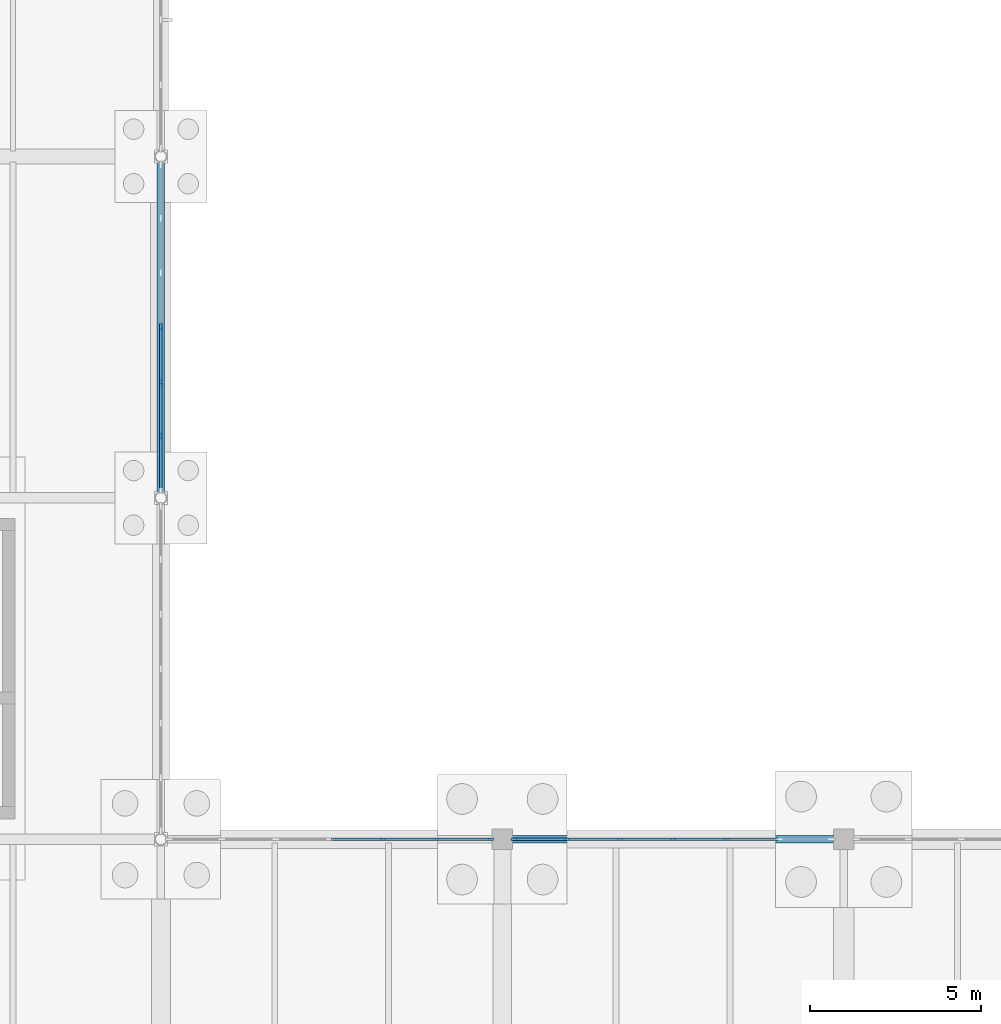
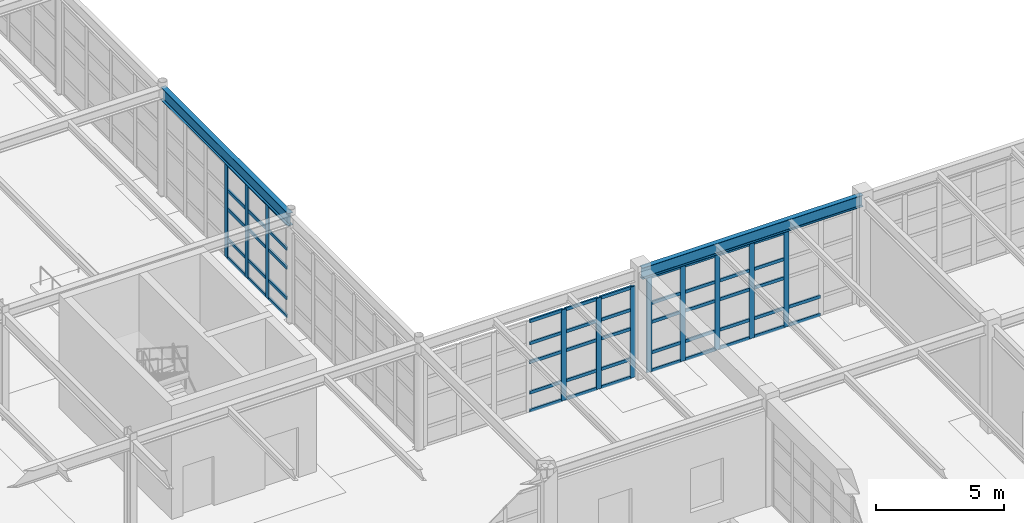
# One storey, part 75 of 145: 63 members, 2 beams, 3 elements without a shape of their own.
"""IFC4 building model written with IfcOpenShell, lengths in metres."""

from ifc_helpers import new_model, si_unit, direction, frame, origin, origin_2d, place, context, subcontext, project, spatial, rectangle, i_section, extrude, material, layer, layer_set, material_profile, profile_set, type_object, element, aggregate, save


model = new_model("IFC4")

# Units and contexts
model_context = context("Model", 3, precision=1e-05, world=origin(), true_north=direction((0.0, 1.0)))
body_context = subcontext(model_context, "Body", "Model", "MODEL_VIEW")
ifc_project = project(units=[si_unit("LENGTHUNIT", "METRE"), si_unit("AREAUNIT", "SQUARE_METRE"), si_unit("VOLUMEUNIT", "CUBIC_METRE"), si_unit("PLANEANGLEUNIT", "RADIAN"), si_unit("MASSUNIT", "GRAM", prefix="KILO"), si_unit("THERMODYNAMICTEMPERATUREUNIT", "KELVIN"), si_unit("POWERUNIT", "WATT")], contexts=[model_context])

# Site, building, storey
site_placement = place(None, origin())
site = spatial("IfcSite", under=ifc_project, at=site_placement, CompositionType="ELEMENT")
building_placement = place(site_placement, origin())
building = spatial("IfcBuilding", under=site, at=building_placement, Name="Korenveer Ferry Terminal", CompositionType="ELEMENT")
storey_placement = place(building_placement, origin())
storey = spatial("IfcBuildingStorey", under=building, at=storey_placement, Name="L00", CompositionType="ELEMENT", Elevation=0.0)

# Curtain wall, members
ifc_material_1 = material(Name="Unitised bronze-and-glass curtain wall", Category="glass")
ifc_layer_1 = layer(ifc_material_1, 0.219970703125)
ifc_layer_set_1 = layer_set([ifc_layer_1], Name="Unitised bronze-and-glass curtain wall")
curtain_wall_type_1 = type_object("IfcCurtainWallType", Name="ENV-CW-12", PredefinedType="USERDEFINED", material=ifc_layer_set_1)
curtain_wall_1_placement = place(storey_placement, frame((136.207763671875, 80.0, 0.0)))
curtain_wall_1 = element("IfcCurtainWall", 1, at=curtain_wall_1_placement, inside=storey, type_object=curtain_wall_type_1, Name="Lancet curtain wall CWX-L00-X136-146-Y80-80", ObjectType="UNITISED CURTAIN WALL", PredefinedType="USERDEFINED")
ifc_material_2 = material(Name="Anodised bronze aluminium", Category="aluminium")
ifc_material_profile_1 = material_profile(ifc_material_2, rectangle(XDim=0.074951171875, YDim=0.219970703125, at=origin_2d()), Name="ALU 75x220")
ifc_profile_set_1 = profile_set([ifc_material_profile_1], Name="Anodised bronze aluminium")
member_type_1 = type_object("IfcMemberType", Name="ENV-CWM-75X220", PredefinedType="MULLION", material=ifc_profile_set_1)
member_1_placement = place(storey_placement, frame((142.515869140625, 80.0, 0.0), z_axis=(0.0, 0.0, 1.0), x_axis=(0.0, 1.0, 0.0)))
member_1 = element("IfcMember", 2, at=member_1_placement, type_object=member_type_1, Name="CW-12 mullion 5", PredefinedType="MULLION", context=body_context, shape_type="SweptSolid", body=[
    extrude(rectangle(XDim=0.074951171875, YDim=0.219970703125, at=origin_2d()), origin(), (0.0, 0.0, 1.0), 4.340087890625),
])
member_2_placement = place(storey_placement, frame((144.093017578125, 80.0, 0.0), z_axis=(0.0, 0.0, 1.0), x_axis=(0.0, 1.0, 0.0)))
member_2 = element("IfcMember", 3, at=member_2_placement, type_object=member_type_1, Name="CW-12 mullion 6", PredefinedType="MULLION", context=body_context, shape_type="SweptSolid", body=[
    extrude(rectangle(XDim=0.074951171875, YDim=0.219970703125, at=origin_2d()), origin(), (0.0, 0.0, 1.0), 4.340087890625),
])
member_3_placement = place(storey_placement, frame((145.632568359375, 80.0, 0.0), z_axis=(0.0, 0.0, 1.0), x_axis=(0.0, 1.0, 0.0)))
member_3 = element("IfcMember", 4, at=member_3_placement, type_object=member_type_1, Name="CW-12 mullion 7", PredefinedType="MULLION", context=body_context, shape_type="SweptSolid", body=[
    extrude(rectangle(XDim=0.074951171875, YDim=0.219970703125, at=origin_2d()), origin(), (0.0, 0.0, 1.0), 4.340087890625),
])

ifc_layer_2 = layer(ifc_material_1, 0.219970703125)
ifc_layer_set_2 = layer_set([ifc_layer_2], Name="Unitised bronze-and-glass curtain wall")
curtain_wall_type_2 = type_object("IfcCurtainWallType", Name="ENV-CW-10", PredefinedType="USERDEFINED", material=ifc_layer_set_2)
curtain_wall_2_placement = place(storey_placement, frame((146.330078125, 80.0, 0.0)))
curtain_wall_2 = element("IfcCurtainWall", 5, at=curtain_wall_2_placement, inside=storey, type_object=curtain_wall_type_2, Name="Lancet curtain wall CWX-L00-X146-156-Y80-80", ObjectType="UNITISED CURTAIN WALL", PredefinedType="USERDEFINED")
member_4_placement = place(storey_placement, frame((146.367431640625, 80.0, 0.0), z_axis=(0.0, 0.0, 1.0), x_axis=(0.0, 1.0, 0.0)))
member_4 = element("IfcMember", 6, at=member_4_placement, type_object=member_type_1, Name="CW-10 mullion 1", PredefinedType="MULLION", context=body_context, shape_type="SweptSolid", body=[
    extrude(rectangle(XDim=0.074951171875, YDim=0.219970703125, at=origin_2d()), origin(), (0.0, 0.0, 1.0), 4.5400390625),
])
member_5_placement = place(storey_placement, frame((147.88671875, 80.0, 0.0), z_axis=(0.0, 0.0, 1.0), x_axis=(0.0, 1.0, 0.0)))
member_5 = element("IfcMember", 7, at=member_5_placement, type_object=member_type_1, Name="CW-10 mullion 2", PredefinedType="MULLION", context=body_context, shape_type="SweptSolid", body=[
    extrude(rectangle(XDim=0.074951171875, YDim=0.219970703125, at=origin_2d()), origin(), (0.0, 0.0, 1.0), 4.5400390625),
])
member_6_placement = place(storey_placement, frame((149.443359375, 80.0, 0.0), z_axis=(0.0, 0.0, 1.0), x_axis=(0.0, 1.0, 0.0)))
member_6 = element("IfcMember", 8, at=member_6_placement, type_object=member_type_1, Name="CW-10 mullion 3", PredefinedType="MULLION", context=body_context, shape_type="SweptSolid", body=[
    extrude(rectangle(XDim=0.074951171875, YDim=0.219970703125, at=origin_2d()), origin(), (0.0, 0.0, 1.0), 4.5400390625),
])
member_7_placement = place(storey_placement, frame((151.0, 80.0, 0.0), z_axis=(0.0, 0.0, 1.0), x_axis=(0.0, 1.0, 0.0)))
member_7 = element("IfcMember", 9, at=member_7_placement, type_object=member_type_1, Name="CW-10 mullion 4", PredefinedType="MULLION", context=body_context, shape_type="SweptSolid", body=[
    extrude(rectangle(XDim=0.074951171875, YDim=0.219970703125, at=origin_2d()), origin(), (0.0, 0.0, 1.0), 4.5400390625),
])
member_8_placement = place(storey_placement, frame((152.556640625, 80.0, 0.0), z_axis=(0.0, 0.0, 1.0), x_axis=(0.0, 1.0, 0.0)))
member_8 = element("IfcMember", 10, at=member_8_placement, type_object=member_type_1, Name="CW-10 mullion 5", PredefinedType="MULLION", context=body_context, shape_type="SweptSolid", body=[
    extrude(rectangle(XDim=0.074951171875, YDim=0.219970703125, at=origin_2d()), origin(), (0.0, 0.0, 1.0), 4.5400390625),
])

ifc_layer_3 = layer(ifc_material_1, 0.219970703125)
ifc_layer_set_3 = layer_set([ifc_layer_3], Name="Unitised bronze-and-glass curtain wall")
curtain_wall_type_3 = type_object("IfcCurtainWallType", Name="ENV-CW-30", PredefinedType="USERDEFINED", material=ifc_layer_set_3)
curtain_wall_3_placement = place(storey_placement, frame((136.0, 99.792236328125, 0.0)))
curtain_wall_3 = element("IfcCurtainWall", 11, at=curtain_wall_3_placement, inside=storey, type_object=curtain_wall_type_3, Name="Lancet curtain wall CWX-L00-X136-136-Y90-100", ObjectType="UNITISED CURTAIN WALL", PredefinedType="USERDEFINED")
member_9_placement = place(storey_placement, frame((136.0, 95.0, 0.0), z_axis=(0.0, 0.0, 1.0), x_axis=(1.0, 0.0, 0.0)))
member_9 = element("IfcMember", 12, at=member_9_placement, type_object=member_type_1, Name="CW-30 mullion 4", PredefinedType="MULLION", context=body_context, shape_type="SweptSolid", body=[
    extrude(rectangle(XDim=0.074951171875, YDim=0.219970703125, at=origin_2d()), origin(), (0.0, 0.0, 1.0), 4.489990234375),
])
member_10_placement = place(storey_placement, frame((136.0, 93.402587890625, 0.0), z_axis=(0.0, 0.0, 1.0), x_axis=(1.0, 0.0, 0.0)))
member_10 = element("IfcMember", 13, at=member_10_placement, type_object=member_type_1, Name="CW-30 mullion 5", PredefinedType="MULLION", context=body_context, shape_type="SweptSolid", body=[
    extrude(rectangle(XDim=0.074951171875, YDim=0.219970703125, at=origin_2d()), origin(), (0.0, 0.0, 1.0), 4.489990234375),
])
member_11_placement = place(storey_placement, frame((136.0, 91.80517578125, 0.0), z_axis=(0.0, 0.0, 1.0), x_axis=(1.0, 0.0, 0.0)))
member_11 = element("IfcMember", 14, at=member_11_placement, type_object=member_type_1, Name="CW-30 mullion 6", PredefinedType="MULLION", context=body_context, shape_type="SweptSolid", body=[
    extrude(rectangle(XDim=0.074951171875, YDim=0.219970703125, at=origin_2d()), origin(), (0.0, 0.0, 1.0), 4.489990234375),
])

# Member
ifc_material_profile_2 = material_profile(ifc_material_2, rectangle(XDim=0.074951171875, YDim=0.14990234375, at=origin_2d()), Name="ALU 75x150")
ifc_profile_set_2 = profile_set([ifc_material_profile_2], Name="Anodised bronze aluminium")
member_type_2 = type_object("IfcMemberType", Name="ENV-CWT-75X150", PredefinedType="USERDEFINED", material=ifc_profile_set_2)
member_12_placement = place(storey_placement, frame((140.976318359375, 80.0, 0.03759765625), z_axis=(1.0, 0.0, 0.0), x_axis=(0.0, 1.0, 0.0)))
member_12 = element("IfcMember", 15, at=member_12_placement, type_object=member_type_2, Name="CW-12 transom 4.1", ObjectType="TRANSOM", PredefinedType="USERDEFINED", context=body_context, shape_type="SweptSolid", body=[
    extrude(rectangle(XDim=0.074951171875, YDim=0.14990234375, at=origin_2d()), origin(), (0.0, 0.0, 1.0), 1.502197265625),
])

member_13_placement = place(storey_placement, frame((140.976318359375, 80.0, 0.89990234375), z_axis=(1.0, 0.0, 0.0), x_axis=(0.0, 1.0, 0.0)))
member_13 = element("IfcMember", 16, at=member_13_placement, type_object=member_type_2, Name="CW-12 transom 4.2", ObjectType="TRANSOM", PredefinedType="USERDEFINED", context=body_context, shape_type="SweptSolid", body=[
    extrude(rectangle(XDim=0.074951171875, YDim=0.14990234375, at=origin_2d()), origin(), (0.0, 0.0, 1.0), 1.502197265625),
])

member_14_placement = place(storey_placement, frame((140.976318359375, 80.0, 2.35009765625), z_axis=(1.0, 0.0, 0.0), x_axis=(0.0, 1.0, 0.0)))
member_14 = element("IfcMember", 17, at=member_14_placement, type_object=member_type_2, Name="CW-12 transom 4.3", ObjectType="TRANSOM", PredefinedType="USERDEFINED", context=body_context, shape_type="SweptSolid", body=[
    extrude(rectangle(XDim=0.074951171875, YDim=0.14990234375, at=origin_2d()), origin(), (0.0, 0.0, 1.0), 1.502197265625),
])

member_15_placement = place(storey_placement, frame((140.976318359375, 80.0, 3.25), z_axis=(1.0, 0.0, 0.0), x_axis=(0.0, 1.0, 0.0)))
member_15 = element("IfcMember", 18, at=member_15_placement, type_object=member_type_2, Name="CW-12 transom 4.4", ObjectType="TRANSOM", PredefinedType="USERDEFINED", context=body_context, shape_type="SweptSolid", body=[
    extrude(rectangle(XDim=0.074951171875, YDim=0.14990234375, at=origin_2d()), origin(), (0.0, 0.0, 1.0), 1.502197265625),
])

member_16_placement = place(storey_placement, frame((140.976318359375, 80.0, 4.302490234375), z_axis=(1.0, 0.0, 0.0), x_axis=(0.0, 1.0, 0.0)))
member_16 = element("IfcMember", 19, at=member_16_placement, type_object=member_type_2, Name="CW-12 transom 4.5", ObjectType="TRANSOM", PredefinedType="USERDEFINED", context=body_context, shape_type="SweptSolid", body=[
    extrude(rectangle(XDim=0.074951171875, YDim=0.14990234375, at=origin_2d()), origin(), (0.0, 0.0, 1.0), 1.502197265625),
])

member_17_placement = place(storey_placement, frame((142.553466796875, 80.0, 0.03759765625), z_axis=(1.0, 0.0, 0.0), x_axis=(0.0, 1.0, 0.0)))
member_17 = element("IfcMember", 20, at=member_17_placement, type_object=member_type_2, Name="CW-12 transom 5.1", ObjectType="TRANSOM", PredefinedType="USERDEFINED", context=body_context, shape_type="SweptSolid", body=[
    extrude(rectangle(XDim=0.074951171875, YDim=0.14990234375, at=origin_2d()), origin(), (0.0, 0.0, 1.0), 1.501953125),
])

member_18_placement = place(storey_placement, frame((142.553466796875, 80.0, 0.89990234375), z_axis=(1.0, 0.0, 0.0), x_axis=(0.0, 1.0, 0.0)))
member_18 = element("IfcMember", 21, at=member_18_placement, type_object=member_type_2, Name="CW-12 transom 5.2", ObjectType="TRANSOM", PredefinedType="USERDEFINED", context=body_context, shape_type="SweptSolid", body=[
    extrude(rectangle(XDim=0.074951171875, YDim=0.14990234375, at=origin_2d()), origin(), (0.0, 0.0, 1.0), 1.501953125),
])

member_19_placement = place(storey_placement, frame((142.553466796875, 80.0, 2.35009765625), z_axis=(1.0, 0.0, 0.0), x_axis=(0.0, 1.0, 0.0)))
member_19 = element("IfcMember", 22, at=member_19_placement, type_object=member_type_2, Name="CW-12 transom 5.3", ObjectType="TRANSOM", PredefinedType="USERDEFINED", context=body_context, shape_type="SweptSolid", body=[
    extrude(rectangle(XDim=0.074951171875, YDim=0.14990234375, at=origin_2d()), origin(), (0.0, 0.0, 1.0), 1.501953125),
])

member_20_placement = place(storey_placement, frame((142.553466796875, 80.0, 3.25), z_axis=(1.0, 0.0, 0.0), x_axis=(0.0, 1.0, 0.0)))
member_20 = element("IfcMember", 23, at=member_20_placement, type_object=member_type_2, Name="CW-12 transom 5.4", ObjectType="TRANSOM", PredefinedType="USERDEFINED", context=body_context, shape_type="SweptSolid", body=[
    extrude(rectangle(XDim=0.074951171875, YDim=0.14990234375, at=origin_2d()), origin(), (0.0, 0.0, 1.0), 1.501953125),
])

member_21_placement = place(storey_placement, frame((142.553466796875, 80.0, 4.302490234375), z_axis=(1.0, 0.0, 0.0), x_axis=(0.0, 1.0, 0.0)))
member_21 = element("IfcMember", 24, at=member_21_placement, type_object=member_type_2, Name="CW-12 transom 5.5", ObjectType="TRANSOM", PredefinedType="USERDEFINED", context=body_context, shape_type="SweptSolid", body=[
    extrude(rectangle(XDim=0.074951171875, YDim=0.14990234375, at=origin_2d()), origin(), (0.0, 0.0, 1.0), 1.501953125),
])

member_22_placement = place(storey_placement, frame((144.13037109375, 80.0, 0.03759765625), z_axis=(1.0, 0.0, 0.0), x_axis=(0.0, 1.0, 0.0)))
member_22 = element("IfcMember", 25, at=member_22_placement, type_object=member_type_2, Name="CW-12 transom 6.1", ObjectType="TRANSOM", PredefinedType="USERDEFINED", context=body_context, shape_type="SweptSolid", body=[
    extrude(rectangle(XDim=0.074951171875, YDim=0.14990234375, at=origin_2d()), origin(), (0.0, 0.0, 1.0), 1.464599609375),
])

member_23_placement = place(storey_placement, frame((144.13037109375, 80.0, 0.89990234375), z_axis=(1.0, 0.0, 0.0), x_axis=(0.0, 1.0, 0.0)))
member_23 = element("IfcMember", 26, at=member_23_placement, type_object=member_type_2, Name="CW-12 transom 6.2", ObjectType="TRANSOM", PredefinedType="USERDEFINED", context=body_context, shape_type="SweptSolid", body=[
    extrude(rectangle(XDim=0.074951171875, YDim=0.14990234375, at=origin_2d()), origin(), (0.0, 0.0, 1.0), 1.464599609375),
])

member_24_placement = place(storey_placement, frame((144.13037109375, 80.0, 2.35009765625), z_axis=(1.0, 0.0, 0.0), x_axis=(0.0, 1.0, 0.0)))
member_24 = element("IfcMember", 27, at=member_24_placement, type_object=member_type_2, Name="CW-12 transom 6.3", ObjectType="TRANSOM", PredefinedType="USERDEFINED", context=body_context, shape_type="SweptSolid", body=[
    extrude(rectangle(XDim=0.074951171875, YDim=0.14990234375, at=origin_2d()), origin(), (0.0, 0.0, 1.0), 1.464599609375),
])

member_25_placement = place(storey_placement, frame((144.13037109375, 80.0, 3.25), z_axis=(1.0, 0.0, 0.0), x_axis=(0.0, 1.0, 0.0)))
member_25 = element("IfcMember", 28, at=member_25_placement, type_object=member_type_2, Name="CW-12 transom 6.4", ObjectType="TRANSOM", PredefinedType="USERDEFINED", context=body_context, shape_type="SweptSolid", body=[
    extrude(rectangle(XDim=0.074951171875, YDim=0.14990234375, at=origin_2d()), origin(), (0.0, 0.0, 1.0), 1.464599609375),
])

member_26_placement = place(storey_placement, frame((144.13037109375, 80.0, 4.302490234375), z_axis=(1.0, 0.0, 0.0), x_axis=(0.0, 1.0, 0.0)))
member_26 = element("IfcMember", 29, at=member_26_placement, type_object=member_type_2, Name="CW-12 transom 6.5", ObjectType="TRANSOM", PredefinedType="USERDEFINED", context=body_context, shape_type="SweptSolid", body=[
    extrude(rectangle(XDim=0.074951171875, YDim=0.14990234375, at=origin_2d()), origin(), (0.0, 0.0, 1.0), 1.464599609375),
])

aggregate(curtain_wall_1, [member_1, member_2, member_3, member_12, member_13, member_14, member_15, member_16, member_17, member_18, member_19, member_20, member_21, member_22, member_23, member_24, member_25, member_26])

member_27_placement = place(storey_placement, frame((146.405029296875, 80.0, 0.03759765625), z_axis=(1.0, 0.0, 0.0), x_axis=(0.0, 1.0, 0.0)))
member_27 = element("IfcMember", 30, at=member_27_placement, type_object=member_type_2, Name="CW-10 transom 1.1", ObjectType="TRANSOM", PredefinedType="USERDEFINED", context=body_context, shape_type="SweptSolid", body=[
    extrude(rectangle(XDim=0.074951171875, YDim=0.14990234375, at=origin_2d()), origin(), (0.0, 0.0, 1.0), 1.444091796875),
])

member_28_placement = place(storey_placement, frame((146.405029296875, 80.0, 0.89990234375), z_axis=(1.0, 0.0, 0.0), x_axis=(0.0, 1.0, 0.0)))
member_28 = element("IfcMember", 31, at=member_28_placement, type_object=member_type_2, Name="CW-10 transom 1.2", ObjectType="TRANSOM", PredefinedType="USERDEFINED", context=body_context, shape_type="SweptSolid", body=[
    extrude(rectangle(XDim=0.074951171875, YDim=0.14990234375, at=origin_2d()), origin(), (0.0, 0.0, 1.0), 1.444091796875),
])

member_29_placement = place(storey_placement, frame((146.405029296875, 80.0, 2.35009765625), z_axis=(1.0, 0.0, 0.0), x_axis=(0.0, 1.0, 0.0)))
member_29 = element("IfcMember", 32, at=member_29_placement, type_object=member_type_2, Name="CW-10 transom 1.3", ObjectType="TRANSOM", PredefinedType="USERDEFINED", context=body_context, shape_type="SweptSolid", body=[
    extrude(rectangle(XDim=0.074951171875, YDim=0.14990234375, at=origin_2d()), origin(), (0.0, 0.0, 1.0), 1.444091796875),
])

member_30_placement = place(storey_placement, frame((146.405029296875, 80.0, 3.25), z_axis=(1.0, 0.0, 0.0), x_axis=(0.0, 1.0, 0.0)))
member_30 = element("IfcMember", 33, at=member_30_placement, type_object=member_type_2, Name="CW-10 transom 1.4", ObjectType="TRANSOM", PredefinedType="USERDEFINED", context=body_context, shape_type="SweptSolid", body=[
    extrude(rectangle(XDim=0.074951171875, YDim=0.14990234375, at=origin_2d()), origin(), (0.0, 0.0, 1.0), 1.444091796875),
])

member_31_placement = place(storey_placement, frame((146.405029296875, 80.0, 4.50244140625), z_axis=(1.0, 0.0, 0.0), x_axis=(0.0, 1.0, 0.0)))
member_31 = element("IfcMember", 34, at=member_31_placement, type_object=member_type_2, Name="CW-10 transom 1.5", ObjectType="TRANSOM", PredefinedType="USERDEFINED", context=body_context, shape_type="SweptSolid", body=[
    extrude(rectangle(XDim=0.074951171875, YDim=0.14990234375, at=origin_2d()), origin(), (0.0, 0.0, 1.0), 1.444091796875),
])

member_32_placement = place(storey_placement, frame((147.924072265625, 80.0, 0.03759765625), z_axis=(1.0, 0.0, 0.0), x_axis=(0.0, 1.0, 0.0)))
member_32 = element("IfcMember", 35, at=member_32_placement, type_object=member_type_2, Name="CW-10 transom 2.1", ObjectType="TRANSOM", PredefinedType="USERDEFINED", context=body_context, shape_type="SweptSolid", body=[
    extrude(rectangle(XDim=0.074951171875, YDim=0.14990234375, at=origin_2d()), origin(), (0.0, 0.0, 1.0), 1.481689453125),
])

member_33_placement = place(storey_placement, frame((147.924072265625, 80.0, 0.89990234375), z_axis=(1.0, 0.0, 0.0), x_axis=(0.0, 1.0, 0.0)))
member_33 = element("IfcMember", 36, at=member_33_placement, type_object=member_type_2, Name="CW-10 transom 2.2", ObjectType="TRANSOM", PredefinedType="USERDEFINED", context=body_context, shape_type="SweptSolid", body=[
    extrude(rectangle(XDim=0.074951171875, YDim=0.14990234375, at=origin_2d()), origin(), (0.0, 0.0, 1.0), 1.481689453125),
])

member_34_placement = place(storey_placement, frame((147.924072265625, 80.0, 2.35009765625), z_axis=(1.0, 0.0, 0.0), x_axis=(0.0, 1.0, 0.0)))
member_34 = element("IfcMember", 37, at=member_34_placement, type_object=member_type_2, Name="CW-10 transom 2.3", ObjectType="TRANSOM", PredefinedType="USERDEFINED", context=body_context, shape_type="SweptSolid", body=[
    extrude(rectangle(XDim=0.074951171875, YDim=0.14990234375, at=origin_2d()), origin(), (0.0, 0.0, 1.0), 1.481689453125),
])

member_35_placement = place(storey_placement, frame((147.924072265625, 80.0, 3.25), z_axis=(1.0, 0.0, 0.0), x_axis=(0.0, 1.0, 0.0)))
member_35 = element("IfcMember", 38, at=member_35_placement, type_object=member_type_2, Name="CW-10 transom 2.4", ObjectType="TRANSOM", PredefinedType="USERDEFINED", context=body_context, shape_type="SweptSolid", body=[
    extrude(rectangle(XDim=0.074951171875, YDim=0.14990234375, at=origin_2d()), origin(), (0.0, 0.0, 1.0), 1.481689453125),
])

member_36_placement = place(storey_placement, frame((147.924072265625, 80.0, 4.50244140625), z_axis=(1.0, 0.0, 0.0), x_axis=(0.0, 1.0, 0.0)))
member_36 = element("IfcMember", 39, at=member_36_placement, type_object=member_type_2, Name="CW-10 transom 2.5", ObjectType="TRANSOM", PredefinedType="USERDEFINED", context=body_context, shape_type="SweptSolid", body=[
    extrude(rectangle(XDim=0.074951171875, YDim=0.14990234375, at=origin_2d()), origin(), (0.0, 0.0, 1.0), 1.481689453125),
])

member_37_placement = place(storey_placement, frame((149.480712890625, 80.0, 0.03759765625), z_axis=(1.0, 0.0, 0.0), x_axis=(0.0, 1.0, 0.0)))
member_37 = element("IfcMember", 40, at=member_37_placement, type_object=member_type_2, Name="CW-10 transom 3.1", ObjectType="TRANSOM", PredefinedType="USERDEFINED", context=body_context, shape_type="SweptSolid", body=[
    extrude(rectangle(XDim=0.074951171875, YDim=0.14990234375, at=origin_2d()), origin(), (0.0, 0.0, 1.0), 1.481689453125),
])

member_38_placement = place(storey_placement, frame((149.480712890625, 80.0, 0.89990234375), z_axis=(1.0, 0.0, 0.0), x_axis=(0.0, 1.0, 0.0)))
member_38 = element("IfcMember", 41, at=member_38_placement, type_object=member_type_2, Name="CW-10 transom 3.2", ObjectType="TRANSOM", PredefinedType="USERDEFINED", context=body_context, shape_type="SweptSolid", body=[
    extrude(rectangle(XDim=0.074951171875, YDim=0.14990234375, at=origin_2d()), origin(), (0.0, 0.0, 1.0), 1.481689453125),
])

member_39_placement = place(storey_placement, frame((149.480712890625, 80.0, 2.35009765625), z_axis=(1.0, 0.0, 0.0), x_axis=(0.0, 1.0, 0.0)))
member_39 = element("IfcMember", 42, at=member_39_placement, type_object=member_type_2, Name="CW-10 transom 3.3", ObjectType="TRANSOM", PredefinedType="USERDEFINED", context=body_context, shape_type="SweptSolid", body=[
    extrude(rectangle(XDim=0.074951171875, YDim=0.14990234375, at=origin_2d()), origin(), (0.0, 0.0, 1.0), 1.481689453125),
])

member_40_placement = place(storey_placement, frame((149.480712890625, 80.0, 3.25), z_axis=(1.0, 0.0, 0.0), x_axis=(0.0, 1.0, 0.0)))
member_40 = element("IfcMember", 43, at=member_40_placement, type_object=member_type_2, Name="CW-10 transom 3.4", ObjectType="TRANSOM", PredefinedType="USERDEFINED", context=body_context, shape_type="SweptSolid", body=[
    extrude(rectangle(XDim=0.074951171875, YDim=0.14990234375, at=origin_2d()), origin(), (0.0, 0.0, 1.0), 1.481689453125),
])

member_41_placement = place(storey_placement, frame((149.480712890625, 80.0, 4.50244140625), z_axis=(1.0, 0.0, 0.0), x_axis=(0.0, 1.0, 0.0)))
member_41 = element("IfcMember", 44, at=member_41_placement, type_object=member_type_2, Name="CW-10 transom 3.5", ObjectType="TRANSOM", PredefinedType="USERDEFINED", context=body_context, shape_type="SweptSolid", body=[
    extrude(rectangle(XDim=0.074951171875, YDim=0.14990234375, at=origin_2d()), origin(), (0.0, 0.0, 1.0), 1.481689453125),
])

member_42_placement = place(storey_placement, frame((151.03759765625, 80.0, 0.03759765625), z_axis=(1.0, 0.0, 0.0), x_axis=(0.0, 1.0, 0.0)))
member_42 = element("IfcMember", 45, at=member_42_placement, type_object=member_type_2, Name="CW-10 transom 4.1", ObjectType="TRANSOM", PredefinedType="USERDEFINED", context=body_context, shape_type="SweptSolid", body=[
    extrude(rectangle(XDim=0.074951171875, YDim=0.14990234375, at=origin_2d()), origin(), (0.0, 0.0, 1.0), 1.481689453125),
])

member_43_placement = place(storey_placement, frame((151.03759765625, 80.0, 0.89990234375), z_axis=(1.0, 0.0, 0.0), x_axis=(0.0, 1.0, 0.0)))
member_43 = element("IfcMember", 46, at=member_43_placement, type_object=member_type_2, Name="CW-10 transom 4.2", ObjectType="TRANSOM", PredefinedType="USERDEFINED", context=body_context, shape_type="SweptSolid", body=[
    extrude(rectangle(XDim=0.074951171875, YDim=0.14990234375, at=origin_2d()), origin(), (0.0, 0.0, 1.0), 1.481689453125),
])

member_44_placement = place(storey_placement, frame((151.03759765625, 80.0, 2.35009765625), z_axis=(1.0, 0.0, 0.0), x_axis=(0.0, 1.0, 0.0)))
member_44 = element("IfcMember", 47, at=member_44_placement, type_object=member_type_2, Name="CW-10 transom 4.3", ObjectType="TRANSOM", PredefinedType="USERDEFINED", context=body_context, shape_type="SweptSolid", body=[
    extrude(rectangle(XDim=0.074951171875, YDim=0.14990234375, at=origin_2d()), origin(), (0.0, 0.0, 1.0), 1.481689453125),
])

member_45_placement = place(storey_placement, frame((151.03759765625, 80.0, 3.25), z_axis=(1.0, 0.0, 0.0), x_axis=(0.0, 1.0, 0.0)))
member_45 = element("IfcMember", 48, at=member_45_placement, type_object=member_type_2, Name="CW-10 transom 4.4", ObjectType="TRANSOM", PredefinedType="USERDEFINED", context=body_context, shape_type="SweptSolid", body=[
    extrude(rectangle(XDim=0.074951171875, YDim=0.14990234375, at=origin_2d()), origin(), (0.0, 0.0, 1.0), 1.481689453125),
])

member_46_placement = place(storey_placement, frame((151.03759765625, 80.0, 4.50244140625), z_axis=(1.0, 0.0, 0.0), x_axis=(0.0, 1.0, 0.0)))
member_46 = element("IfcMember", 49, at=member_46_placement, type_object=member_type_2, Name="CW-10 transom 4.5", ObjectType="TRANSOM", PredefinedType="USERDEFINED", context=body_context, shape_type="SweptSolid", body=[
    extrude(rectangle(XDim=0.074951171875, YDim=0.14990234375, at=origin_2d()), origin(), (0.0, 0.0, 1.0), 1.481689453125),
])

member_47_placement = place(storey_placement, frame((152.59423828125, 80.0, 0.03759765625), z_axis=(1.0, 0.0, 0.0), x_axis=(0.0, 1.0, 0.0)))
member_47 = element("IfcMember", 50, at=member_47_placement, type_object=member_type_2, Name="CW-10 transom 5.1", ObjectType="TRANSOM", PredefinedType="USERDEFINED", context=body_context, shape_type="SweptSolid", body=[
    extrude(rectangle(XDim=0.074951171875, YDim=0.14990234375, at=origin_2d()), origin(), (0.0, 0.0, 1.0), 1.481689453125),
])

member_48_placement = place(storey_placement, frame((152.59423828125, 80.0, 0.89990234375), z_axis=(1.0, 0.0, 0.0), x_axis=(0.0, 1.0, 0.0)))
member_48 = element("IfcMember", 51, at=member_48_placement, type_object=member_type_2, Name="CW-10 transom 5.2", ObjectType="TRANSOM", PredefinedType="USERDEFINED", context=body_context, shape_type="SweptSolid", body=[
    extrude(rectangle(XDim=0.074951171875, YDim=0.14990234375, at=origin_2d()), origin(), (0.0, 0.0, 1.0), 1.481689453125),
])

aggregate(curtain_wall_2, [member_4, member_5, member_6, member_7, member_8, member_27, member_28, member_29, member_30, member_31, member_32, member_33, member_34, member_35, member_36, member_37, member_38, member_39, member_40, member_41, member_42, member_43, member_44, member_45, member_46, member_47, member_48])

member_49_placement = place(storey_placement, frame((136.0, 94.96240234375, 0.03759765625), z_axis=(0.0, -1.0, 0.0), x_axis=(1.0, 0.0, 0.0)))
member_49 = element("IfcMember", 52, at=member_49_placement, type_object=member_type_2, Name="CW-30 transom 4.1", ObjectType="TRANSOM", PredefinedType="USERDEFINED", context=body_context, shape_type="SweptSolid", body=[
    extrude(rectangle(XDim=0.074951171875, YDim=0.14990234375, at=origin_2d()), origin(), (0.0, 0.0, 1.0), 1.522216796875),
])

member_50_placement = place(storey_placement, frame((136.0, 94.96240234375, 0.89990234375), z_axis=(0.0, -1.0, 0.0), x_axis=(1.0, 0.0, 0.0)))
member_50 = element("IfcMember", 53, at=member_50_placement, type_object=member_type_2, Name="CW-30 transom 4.2", ObjectType="TRANSOM", PredefinedType="USERDEFINED", context=body_context, shape_type="SweptSolid", body=[
    extrude(rectangle(XDim=0.074951171875, YDim=0.14990234375, at=origin_2d()), origin(), (0.0, 0.0, 1.0), 1.522216796875),
])

member_51_placement = place(storey_placement, frame((136.0, 94.96240234375, 2.35009765625), z_axis=(0.0, -1.0, 0.0), x_axis=(1.0, 0.0, 0.0)))
member_51 = element("IfcMember", 54, at=member_51_placement, type_object=member_type_2, Name="CW-30 transom 4.3", ObjectType="TRANSOM", PredefinedType="USERDEFINED", context=body_context, shape_type="SweptSolid", body=[
    extrude(rectangle(XDim=0.074951171875, YDim=0.14990234375, at=origin_2d()), origin(), (0.0, 0.0, 1.0), 1.522216796875),
])

member_52_placement = place(storey_placement, frame((136.0, 94.96240234375, 3.25), z_axis=(0.0, -1.0, 0.0), x_axis=(1.0, 0.0, 0.0)))
member_52 = element("IfcMember", 55, at=member_52_placement, type_object=member_type_2, Name="CW-30 transom 4.4", ObjectType="TRANSOM", PredefinedType="USERDEFINED", context=body_context, shape_type="SweptSolid", body=[
    extrude(rectangle(XDim=0.074951171875, YDim=0.14990234375, at=origin_2d()), origin(), (0.0, 0.0, 1.0), 1.522216796875),
])

member_53_placement = place(storey_placement, frame((136.0, 94.96240234375, 4.452392578125), z_axis=(0.0, -1.0, 0.0), x_axis=(1.0, 0.0, 0.0)))
member_53 = element("IfcMember", 56, at=member_53_placement, type_object=member_type_2, Name="CW-30 transom 4.5", ObjectType="TRANSOM", PredefinedType="USERDEFINED", context=body_context, shape_type="SweptSolid", body=[
    extrude(rectangle(XDim=0.074951171875, YDim=0.14990234375, at=origin_2d()), origin(), (0.0, 0.0, 1.0), 1.522216796875),
])

member_54_placement = place(storey_placement, frame((136.0, 93.364990234375, 0.03759765625), z_axis=(0.0, -1.0, 0.0), x_axis=(1.0, 0.0, 0.0)))
member_54 = element("IfcMember", 57, at=member_54_placement, type_object=member_type_2, Name="CW-30 transom 5.1", ObjectType="TRANSOM", PredefinedType="USERDEFINED", context=body_context, shape_type="SweptSolid", body=[
    extrude(rectangle(XDim=0.074951171875, YDim=0.14990234375, at=origin_2d()), origin(), (0.0, 0.0, 1.0), 1.522216796875),
])

member_55_placement = place(storey_placement, frame((136.0, 93.364990234375, 0.89990234375), z_axis=(0.0, -1.0, 0.0), x_axis=(1.0, 0.0, 0.0)))
member_55 = element("IfcMember", 58, at=member_55_placement, type_object=member_type_2, Name="CW-30 transom 5.2", ObjectType="TRANSOM", PredefinedType="USERDEFINED", context=body_context, shape_type="SweptSolid", body=[
    extrude(rectangle(XDim=0.074951171875, YDim=0.14990234375, at=origin_2d()), origin(), (0.0, 0.0, 1.0), 1.522216796875),
])

member_56_placement = place(storey_placement, frame((136.0, 93.364990234375, 2.35009765625), z_axis=(0.0, -1.0, 0.0), x_axis=(1.0, 0.0, 0.0)))
member_56 = element("IfcMember", 59, at=member_56_placement, type_object=member_type_2, Name="CW-30 transom 5.3", ObjectType="TRANSOM", PredefinedType="USERDEFINED", context=body_context, shape_type="SweptSolid", body=[
    extrude(rectangle(XDim=0.074951171875, YDim=0.14990234375, at=origin_2d()), origin(), (0.0, 0.0, 1.0), 1.522216796875),
])

member_57_placement = place(storey_placement, frame((136.0, 93.364990234375, 3.25), z_axis=(0.0, -1.0, 0.0), x_axis=(1.0, 0.0, 0.0)))
member_57 = element("IfcMember", 60, at=member_57_placement, type_object=member_type_2, Name="CW-30 transom 5.4", ObjectType="TRANSOM", PredefinedType="USERDEFINED", context=body_context, shape_type="SweptSolid", body=[
    extrude(rectangle(XDim=0.074951171875, YDim=0.14990234375, at=origin_2d()), origin(), (0.0, 0.0, 1.0), 1.522216796875),
])

member_58_placement = place(storey_placement, frame((136.0, 93.364990234375, 4.452392578125), z_axis=(0.0, -1.0, 0.0), x_axis=(1.0, 0.0, 0.0)))
member_58 = element("IfcMember", 61, at=member_58_placement, type_object=member_type_2, Name="CW-30 transom 5.5", ObjectType="TRANSOM", PredefinedType="USERDEFINED", context=body_context, shape_type="SweptSolid", body=[
    extrude(rectangle(XDim=0.074951171875, YDim=0.14990234375, at=origin_2d()), origin(), (0.0, 0.0, 1.0), 1.522216796875),
])

member_59_placement = place(storey_placement, frame((136.0, 91.767578125, 0.03759765625), z_axis=(0.0, -1.0, 0.0), x_axis=(1.0, 0.0, 0.0)))
member_59 = element("IfcMember", 62, at=member_59_placement, type_object=member_type_2, Name="CW-30 transom 6.1", ObjectType="TRANSOM", PredefinedType="USERDEFINED", context=body_context, shape_type="SweptSolid", body=[
    extrude(rectangle(XDim=0.074951171875, YDim=0.14990234375, at=origin_2d()), origin(), (0.0, 0.0, 1.0), 1.48486328125),
])

member_60_placement = place(storey_placement, frame((136.0, 91.767578125, 0.89990234375), z_axis=(0.0, -1.0, 0.0), x_axis=(1.0, 0.0, 0.0)))
member_60 = element("IfcMember", 63, at=member_60_placement, type_object=member_type_2, Name="CW-30 transom 6.2", ObjectType="TRANSOM", PredefinedType="USERDEFINED", context=body_context, shape_type="SweptSolid", body=[
    extrude(rectangle(XDim=0.074951171875, YDim=0.14990234375, at=origin_2d()), origin(), (0.0, 0.0, 1.0), 1.48486328125),
])

member_61_placement = place(storey_placement, frame((136.0, 91.767578125, 2.35009765625), z_axis=(0.0, -1.0, 0.0), x_axis=(1.0, 0.0, 0.0)))
member_61 = element("IfcMember", 64, at=member_61_placement, type_object=member_type_2, Name="CW-30 transom 6.3", ObjectType="TRANSOM", PredefinedType="USERDEFINED", context=body_context, shape_type="SweptSolid", body=[
    extrude(rectangle(XDim=0.074951171875, YDim=0.14990234375, at=origin_2d()), origin(), (0.0, 0.0, 1.0), 1.48486328125),
])

member_62_placement = place(storey_placement, frame((136.0, 91.767578125, 3.25), z_axis=(0.0, -1.0, 0.0), x_axis=(1.0, 0.0, 0.0)))
member_62 = element("IfcMember", 65, at=member_62_placement, type_object=member_type_2, Name="CW-30 transom 6.4", ObjectType="TRANSOM", PredefinedType="USERDEFINED", context=body_context, shape_type="SweptSolid", body=[
    extrude(rectangle(XDim=0.074951171875, YDim=0.14990234375, at=origin_2d()), origin(), (0.0, 0.0, 1.0), 1.48486328125),
])

member_63_placement = place(storey_placement, frame((136.0, 91.767578125, 4.452392578125), z_axis=(0.0, -1.0, 0.0), x_axis=(1.0, 0.0, 0.0)))
member_63 = element("IfcMember", 66, at=member_63_placement, type_object=member_type_2, Name="CW-30 transom 6.5", ObjectType="TRANSOM", PredefinedType="USERDEFINED", context=body_context, shape_type="SweptSolid", body=[
    extrude(rectangle(XDim=0.074951171875, YDim=0.14990234375, at=origin_2d()), origin(), (0.0, 0.0, 1.0), 1.48486328125),
])

aggregate(curtain_wall_3, [member_9, member_10, member_11, member_49, member_50, member_51, member_52, member_53, member_54, member_55, member_56, member_57, member_58, member_59, member_60, member_61, member_62, member_63])

# Beams
ifc_material_3 = material(Name="Steel S355", Category="steel")
ifc_material_profile_3 = material_profile(ifc_material_3, i_section(OverallWidth=0.2099609375, OverallDepth=0.550048828125, WebThickness=0.010986328125, FlangeThickness=0.01708984375, FilletRadius=0.02392578125, at=origin_2d()), Name="IPE 550")
ifc_profile_set_3 = profile_set([ifc_material_profile_3], Name="Steel S355")
beam_type_1 = type_object("IfcBeamType", Name="STR-BM-IPE550", PredefinedType="BEAM", material=ifc_profile_set_3)
beam_1_placement = place(storey_placement, frame((146.02001953125, 80.0, 4.844970703125), z_axis=(1.0, 0.0, 0.0), x_axis=(0.0, 1.0, 0.0)))
element("IfcBeam", 67, at=beam_1_placement, inside=storey, type_object=beam_type_1, Name="Primary X girder BMX-L01-X146-156-Y80", PredefinedType="BEAM", context=body_context, shape_type="SweptSolid", body=[
    extrude(i_section(OverallWidth=0.2099609375, OverallDepth=0.550048828125, WebThickness=0.010986328125, FlangeThickness=0.01708984375, FilletRadius=0.02392578125, at=origin_2d()), origin(), (0.0, 0.0, 1.0), 9.9599609375),
])
ifc_material_profile_4 = material_profile(ifc_material_3, i_section(OverallWidth=0.219970703125, OverallDepth=0.60009765625, WebThickness=0.011962890625, FlangeThickness=0.01904296875, FilletRadius=0.02392578125, at=origin_2d()), Name="IPE 600")
ifc_profile_set_4 = profile_set([ifc_material_profile_4], Name="Steel S355")
beam_type_2 = type_object("IfcBeamType", Name="STR-BM-IPE600", PredefinedType="BEAM", material=ifc_profile_set_4)
beam_2_placement = place(storey_placement, frame((136.0, 90.02001953125, 4.820068359375), z_axis=(0.0, 1.0, 0.0), x_axis=(-1.0, 0.0, 0.0)))
element("IfcBeam", 68, at=beam_2_placement, inside=storey, type_object=beam_type_2, Name="Primary Y girder BMY-L01-X136-Y90-100", PredefinedType="BEAM", context=body_context, shape_type="SweptSolid", body=[
    extrude(i_section(OverallWidth=0.219970703125, OverallDepth=0.60009765625, WebThickness=0.011962890625, FlangeThickness=0.01904296875, FilletRadius=0.02392578125, at=origin_2d()), origin(), (0.0, 0.0, 1.0), 9.9599609375),
])

save(model, "model.ifc")
